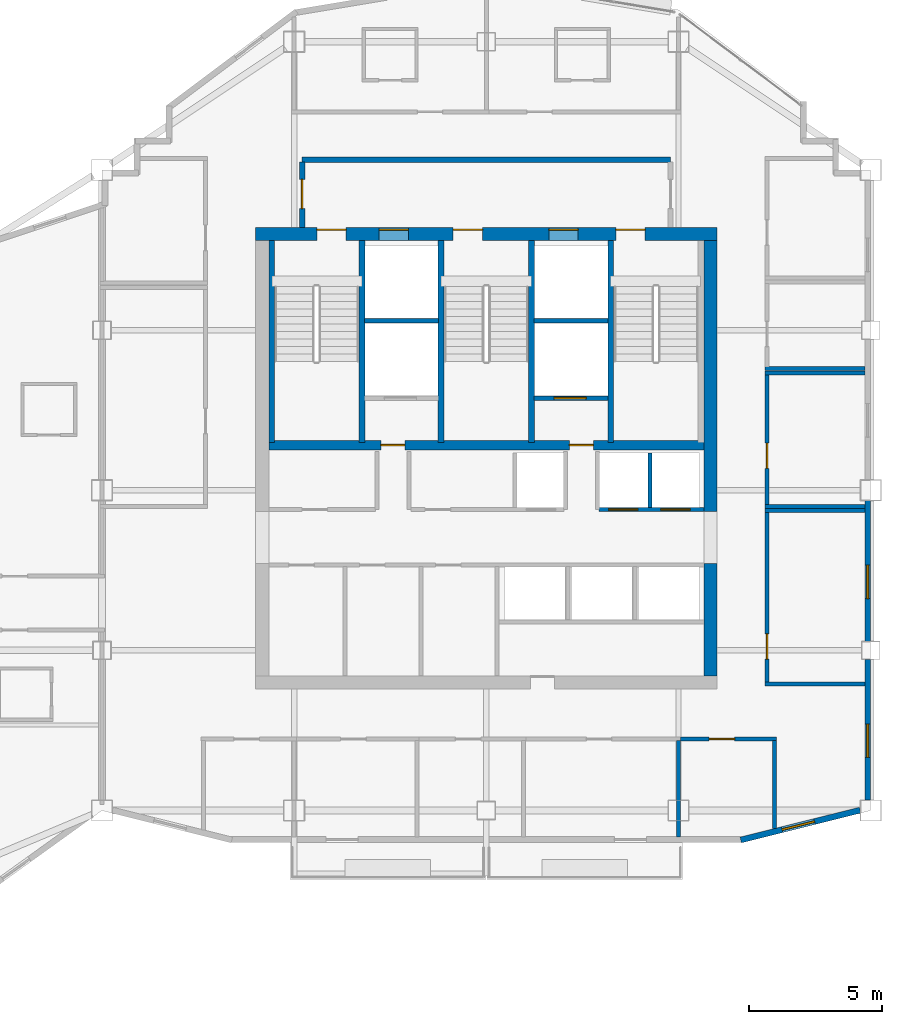
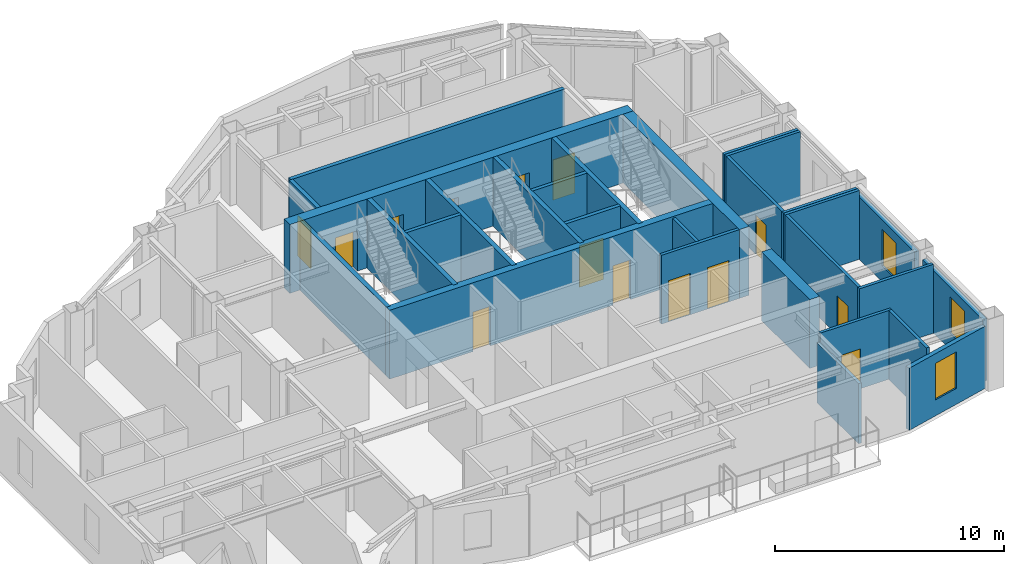
# One storey, part 7 of 11: 29 walls, 14 doors, 3 windows, 17 openings.
"""IFC4 building model written with IfcOpenShell, lengths in metres."""

from ifc_helpers import new_model, si_unit, direction, frame, frame_2d, origin, place, context, subcontext, project, spatial, rectangle, extrude, material, layer, layer_set, type_object, element, fill, save


model = new_model("IFC4")

# Units and contexts
model_context = context("Model", 3, precision=1e-05, world=origin(), true_north=direction((0.0, 1.0)))
body_context = subcontext(model_context, "Body", "Model", "MODEL_VIEW")
ifc_project = project(units=[si_unit("LENGTHUNIT", "METRE"), si_unit("AREAUNIT", "SQUARE_METRE"), si_unit("VOLUMEUNIT", "CUBIC_METRE"), si_unit("PLANEANGLEUNIT", "RADIAN"), si_unit("MASSUNIT", "GRAM", prefix="KILO")], contexts=[model_context])

# Site, building, storey
site_placement = place(None, origin())
site = spatial("IfcSite", under=ifc_project, at=site_placement, CompositionType="ELEMENT")
building_placement = place(site_placement, origin())
building = spatial("IfcBuilding", under=site, at=building_placement, Name="Haolan Belvedere Tower", CompositionType="ELEMENT")
storey_placement = place(building_placement, frame((0.0, 0.0, 250.60009765625)))
storey = spatial("IfcBuildingStorey", under=building, at=storey_placement, Name="L63", CompositionType="ELEMENT", Elevation=250.60009765625)

# Wall, openings, doors
ifc_material_1 = material(Name="Concrete C50/60", Category="concrete")
ifc_layer_1 = layer(ifc_material_1, 0.5, Name="Concrete C50/60")
ifc_layer_set_1 = layer_set([ifc_layer_1], Name="Concrete C50/60")
wall_type_1 = type_object("IfcWallType", Name="WL-CORE-500", PredefinedType="SHEAR", material=ifc_layer_set_1)
wall_1_placement = place(storey_placement, frame((29.75, 43.199951171875, 0.0), z_axis=(0.0, 0.0, 1.0), x_axis=(1.0, 0.0, 0.0)))
wall_1 = element("IfcWall", 1, at=wall_1_placement, inside=storey, type_object=wall_type_1, Name="L63 central core north shear wall", PredefinedType="SHEAR", context=body_context, shape_type="SweptSolid", body=[
    extrude(rectangle(XDim=17.300048828125, YDim=0.5, at=frame_2d((8.64990234375, 0.0))), origin(), (0.0, 0.0, 1.0), 3.669921875),
])
opening_1_placement = place(wall_1_placement, frame((2.300048828125, 0.0, 0.0)))
opening_1 = element("IfcOpeningElement", 2, at=opening_1_placement, cuts=wall_1, Name="Opening FD-03", PredefinedType="OPENING", context=body_context, shape_type="SweptSolid", body=[
    extrude(rectangle(XDim=1.10009765625, YDim=2.14990234375, at=frame_2d((0.550048828125, 1.074951171875))), frame((0.0, 0.260009765625, 0.0), z_axis=(0.0, -1.0, 0.0), x_axis=(1.0, 0.0, 0.0)), (0.0, 0.0, 1.0), 0.52001953125),
])
opening_2_placement = place(wall_1_placement, frame((7.409912109375, 0.0, 0.0)))
opening_2 = element("IfcOpeningElement", 3, at=opening_2_placement, cuts=wall_1, Name="Opening FD-03", PredefinedType="OPENING", context=body_context, shape_type="SweptSolid", body=[
    extrude(rectangle(XDim=1.10009765625, YDim=2.14990234375, at=frame_2d((0.550048828125, 1.074951171875))), frame((0.0, 0.260009765625, 0.0), z_axis=(0.0, -1.0, 0.0), x_axis=(1.0, 0.0, 0.0)), (0.0, 0.0, 1.0), 0.52001953125),
])
opening_3_placement = place(wall_1_placement, frame((13.5, 0.0, 0.0)))
opening_3 = element("IfcOpeningElement", 4, at=opening_3_placement, cuts=wall_1, Name="Opening FD-03", PredefinedType="OPENING", context=body_context, shape_type="SweptSolid", body=[
    extrude(rectangle(XDim=1.10009765625, YDim=2.14990234375, at=frame_2d((0.550048828125, 1.074951171875))), frame((0.0, 0.260009765625, 0.0), z_axis=(0.0, -1.0, 0.0), x_axis=(1.0, 0.0, 0.0)), (0.0, 0.0, 1.0), 0.52001953125),
])
opening_4_placement = place(wall_1_placement, frame((4.6298828125, 0.0, 0.0)))
opening_4 = element("IfcOpeningElement", 5, at=opening_4_placement, cuts=wall_1, Name="Opening LD-01", PredefinedType="OPENING", context=body_context, shape_type="SweptSolid", body=[
    extrude(rectangle(XDim=1.10009765625, YDim=2.199951171875, at=frame_2d((0.550048828125, 1.10009765625))), frame((0.0, 0.260009765625, 0.0), z_axis=(0.0, -1.0, 0.0), x_axis=(1.0, 0.0, 0.0)), (0.0, 0.0, 1.0), 0.52001953125),
])
opening_5_placement = place(wall_1_placement, frame((10.989990234375, 0.0, 0.0)))
opening_5 = element("IfcOpeningElement", 6, at=opening_5_placement, cuts=wall_1, Name="Opening LD-01", PredefinedType="OPENING", context=body_context, shape_type="SweptSolid", body=[
    extrude(rectangle(XDim=1.10009765625, YDim=2.199951171875, at=frame_2d((0.550048828125, 1.10009765625))), frame((0.0, 0.260009765625, 0.0), z_axis=(0.0, -1.0, 0.0), x_axis=(1.0, 0.0, 0.0)), (0.0, 0.0, 1.0), 0.52001953125),
])
ifc_material_2 = material(Name="Galvanised fire-rated steel", Category="steel")
door_type_1 = type_object("IfcDoorType", Name="DR-FD90-1100", OperationType="NOTDEFINED", PredefinedType="DOOR", material=ifc_material_2)
door_1_placement = place(opening_1_placement, origin())
door_1 = element("IfcDoor", 7, at=door_1_placement, inside=storey, type_object=door_type_1, Name="L63 door CD-L63-ST1", OperationType="SINGLE_SWING_LEFT", OverallHeight=2.14990234375, OverallWidth=1.10009765625, PredefinedType="DOOR", context=body_context, shape_type="SweptSolid", body=[
    extrude(rectangle(XDim=1.10009765625, YDim=2.14990234375, at=frame_2d((0.550048828125, 1.074951171875))), frame((0.0, 0.18505859375, 0.0), z_axis=(0.0, -1.0, 0.0), x_axis=(1.0, 0.0, 0.0)), (0.0, 0.0, 1.0), 0.050048828125),
])
fill(opening_1, door_1)
door_2_placement = place(opening_2_placement, origin())
door_2 = element("IfcDoor", 8, at=door_2_placement, inside=storey, type_object=door_type_1, Name="L63 door CD-L63-ST3", OperationType="SINGLE_SWING_LEFT", OverallHeight=2.14990234375, OverallWidth=1.10009765625, PredefinedType="DOOR", context=body_context, shape_type="SweptSolid", body=[
    extrude(rectangle(XDim=1.10009765625, YDim=2.14990234375, at=frame_2d((0.550048828125, 1.074951171875))), frame((0.0, 0.18505859375, 0.0), z_axis=(0.0, -1.0, 0.0), x_axis=(1.0, 0.0, 0.0)), (0.0, 0.0, 1.0), 0.050048828125),
])
fill(opening_2, door_2)
door_3_placement = place(opening_3_placement, origin())
door_3 = element("IfcDoor", 9, at=door_3_placement, inside=storey, type_object=door_type_1, Name="L63 door CD-L63-ST2", OperationType="SINGLE_SWING_RIGHT", OverallHeight=2.14990234375, OverallWidth=1.10009765625, PredefinedType="DOOR", context=body_context, shape_type="SweptSolid", body=[
    extrude(rectangle(XDim=1.10009765625, YDim=2.14990234375, at=frame_2d((0.550048828125, 1.074951171875))), frame((0.0, 0.18505859375, 0.0), z_axis=(0.0, -1.0, 0.0), x_axis=(1.0, 0.0, 0.0)), (0.0, 0.0, 1.0), 0.050048828125),
])
fill(opening_3, door_3)
ifc_material_3 = material(Name="Brushed champagne stainless steel 316L", Category="steel")
door_type_2 = type_object("IfcDoorType", Name="DR-LIFT-1100", OperationType="SLIDING_TO_LEFT", PredefinedType="DOOR", material=ifc_material_3)
door_4_placement = place(opening_4_placement, origin())
door_4 = element("IfcDoor", 10, at=door_4_placement, inside=storey, type_object=door_type_2, Name="L63 door LD-L63-FF1", OperationType="SLIDING_TO_LEFT", OverallHeight=2.199951171875, OverallWidth=1.10009765625, PredefinedType="DOOR", context=body_context, shape_type="SweptSolid", body=[
    extrude(rectangle(XDim=1.10009765625, YDim=2.199951171875, at=frame_2d((0.550048828125, 1.10009765625))), frame((0.0, 0.18505859375, 0.0), z_axis=(0.0, -1.0, 0.0), x_axis=(1.0, 0.0, 0.0)), (0.0, 0.0, 1.0), 0.050048828125),
])
fill(opening_4, door_4)
door_5_placement = place(opening_5_placement, origin())
door_5 = element("IfcDoor", 11, at=door_5_placement, inside=storey, type_object=door_type_2, Name="L63 door LD-L63-FF2", OperationType="SLIDING_TO_LEFT", OverallHeight=2.199951171875, OverallWidth=1.10009765625, PredefinedType="DOOR", context=body_context, shape_type="SweptSolid", body=[
    extrude(rectangle(XDim=1.10009765625, YDim=2.199951171875, at=frame_2d((0.550048828125, 1.10009765625))), frame((0.0, 0.18505859375, 0.0), z_axis=(0.0, -1.0, 0.0), x_axis=(1.0, 0.0, 0.0)), (0.0, 0.0, 1.0), 0.050048828125),
])
fill(opening_5, door_5)

# Walls
wall_2_placement = place(storey_placement, frame((46.800048828125, 26.64990234375, 0.0), z_axis=(0.0, 0.0, 1.0), x_axis=(0.0, 1.0, 0.0)))
element("IfcWall", 12, at=wall_2_placement, inside=storey, type_object=wall_type_1, Name="L63 central core shear wall ES", PredefinedType="SHEAR", context=body_context, shape_type="SweptSolid", body=[
    extrude(rectangle(XDim=4.2001953125, YDim=0.5, at=frame_2d((2.10009765625, 0.0))), origin(), (0.0, 0.0, 1.0), 3.669921875),
])
wall_3_placement = place(storey_placement, frame((46.800048828125, 32.800048828125, 0.0), z_axis=(0.0, 0.0, 1.0), x_axis=(0.0, 1.0, 0.0)))
element("IfcWall", 13, at=wall_3_placement, inside=storey, type_object=wall_type_1, Name="L63 central core shear wall EN", PredefinedType="SHEAR", context=body_context, shape_type="SweptSolid", body=[
    extrude(rectangle(XDim=10.14990234375, YDim=0.5, at=frame_2d((5.074951171875, 0.0))), origin(), (0.0, 0.0, 1.0), 3.669921875),
])

# Wall, opening, window
ifc_material_4 = material(Name="Precast concrete C40/50", Category="concrete")
ifc_layer_2 = layer(ifc_material_4, 0.219970703125, Name="Precast concrete C40/50")
ifc_layer_set_2 = layer_set([ifc_layer_2], Name="Precast concrete C40/50")
wall_type_2 = type_object("IfcWallType", Name="WL-EXT-220", PredefinedType="SOLIDWALL", material=ifc_layer_set_2)
wall_4_placement = place(storey_placement, frame((47.93310546875, 20.49658203125, 0.0), z_axis=(0.0, 0.0, 1.0), x_axis=(0.970133159038, 0.242572986408, 0.0)))
wall_4 = element("IfcWall", 14, at=wall_4_placement, inside=storey, type_object=wall_type_2, Name="L63 pale-metal exterior spandrel wall 2.1", PredefinedType="SOLIDWALL", context=body_context, shape_type="SweptSolid", body=[
    extrude(rectangle(XDim=4.612548828125, YDim=0.219970703125, at=frame_2d((2.30615234375, 0.0))), origin(), (0.0, 0.0, 1.0), 3.31494140625),
])
opening_6_placement = place(wall_4_placement, frame((1.60009765625, 0.0, 0.85009765625)))
opening_6 = element("IfcOpeningElement", 15, at=opening_6_placement, cuts=wall_4, Name="Opening W-04", PredefinedType="OPENING", context=body_context, shape_type="SweptSolid", body=[
    extrude(rectangle(XDim=1.25, YDim=1.949951171875, at=frame_2d((0.625, 0.97509765625))), frame((0.0, 0.119873046875, 0.0), z_axis=(0.0, -1.0, 0.0), x_axis=(1.0, 0.0, 0.0)), (0.0, 0.0, 1.0), 0.239990234375),
])
ifc_material_5 = material(Name="Anodised aluminium 6063-T6 and Low-E glass", Category="aluminium")
window_type = type_object("IfcWindowType", Name="WN-DECO-Z4", PartitioningType="SINGLE_PANEL", PredefinedType="WINDOW", material=ifc_material_5)
window_1_placement = place(opening_6_placement, origin())
window_1 = element("IfcWindow", 16, at=window_1_placement, inside=storey, type_object=window_type, Name="L63 Art Deco chevron window 1", OverallHeight=1.949951171875, OverallWidth=1.25, PartitioningType="SINGLE_PANEL", PredefinedType="WINDOW", context=body_context, shape_type="SweptSolid", body=[
    extrude(rectangle(XDim=1.25, YDim=1.949951171875, at=frame_2d((0.625, 0.97509765625))), frame((0.0, 0.030029296875, 0.0), z_axis=(0.0, -1.0, 0.0), x_axis=(1.0, 0.0, 0.0)), (0.0, 0.0, 1.0), 0.06005859375),
])
fill(opening_6, window_1)

wall_5_placement = place(storey_placement, frame((52.68994140625, 21.991943359375, 0.0), z_axis=(0.0, 0.0, 1.0), x_axis=(0.0, 1.0, 0.0)))
wall_5 = element("IfcWall", 17, at=wall_5_placement, inside=storey, type_object=wall_type_2, Name="L63 pale-metal exterior spandrel wall 3.1", PredefinedType="SOLIDWALL", context=body_context, shape_type="SweptSolid", body=[
    extrude(rectangle(XDim=5.26611328125, YDim=0.219970703125, at=frame_2d((2.633056640625, 0.0))), origin(), (0.0, 0.0, 1.0), 3.31494140625),
])
opening_7_placement = place(wall_5_placement, frame((1.60009765625, 0.0, 0.85009765625)))
opening_7 = element("IfcOpeningElement", 18, at=opening_7_placement, cuts=wall_5, Name="Opening W-04", PredefinedType="OPENING", context=body_context, shape_type="SweptSolid", body=[
    extrude(rectangle(XDim=1.25, YDim=1.949951171875, at=frame_2d((0.625, 0.97509765625))), frame((0.0, 0.119873046875, 0.0), z_axis=(0.0, -1.0, 0.0), x_axis=(1.0, 0.0, 0.0)), (0.0, 0.0, 1.0), 0.239990234375),
])
window_2_placement = place(opening_7_placement, origin())
window_2 = element("IfcWindow", 19, at=window_2_placement, inside=storey, type_object=window_type, Name="L63 Art Deco chevron window 1", OverallHeight=1.949951171875, OverallWidth=1.25, PartitioningType="SINGLE_PANEL", PredefinedType="WINDOW", context=body_context, shape_type="SweptSolid", body=[
    extrude(rectangle(XDim=1.25, YDim=1.949951171875, at=frame_2d((0.625, 0.97509765625))), frame((0.0, 0.030029296875, 0.0), z_axis=(0.0, -1.0, 0.0), x_axis=(1.0, 0.0, 0.0)), (0.0, 0.0, 1.0), 0.06005859375),
])
fill(opening_7, window_2)

wall_6_placement = place(storey_placement, frame((52.68994140625, 27.94189453125, 0.0), z_axis=(0.0, 0.0, 1.0), x_axis=(0.0, 1.0, 0.0)))
wall_6 = element("IfcWall", 20, at=wall_6_placement, inside=storey, type_object=wall_type_2, Name="L63 pale-metal exterior spandrel wall 3.2", PredefinedType="SOLIDWALL", context=body_context, shape_type="SweptSolid", body=[
    extrude(rectangle(XDim=5.26611328125, YDim=0.219970703125, at=frame_2d((2.633056640625, 0.0))), origin(), (0.0, 0.0, 1.0), 3.31494140625),
])
opening_8_placement = place(wall_6_placement, frame((1.60009765625, 0.0, 0.85009765625)))
opening_8 = element("IfcOpeningElement", 21, at=opening_8_placement, cuts=wall_6, Name="Opening W-04", PredefinedType="OPENING", context=body_context, shape_type="SweptSolid", body=[
    extrude(rectangle(XDim=1.25, YDim=1.949951171875, at=frame_2d((0.625, 0.97509765625))), frame((0.0, 0.119873046875, 0.0), z_axis=(0.0, -1.0, 0.0), x_axis=(1.0, 0.0, 0.0)), (0.0, 0.0, 1.0), 0.239990234375),
])
window_3_placement = place(opening_8_placement, origin())
window_3 = element("IfcWindow", 22, at=window_3_placement, inside=storey, type_object=window_type, Name="L63 Art Deco chevron window 1", OverallHeight=1.949951171875, OverallWidth=1.25, PartitioningType="SINGLE_PANEL", PredefinedType="WINDOW", context=body_context, shape_type="SweptSolid", body=[
    extrude(rectangle(XDim=1.25, YDim=1.949951171875, at=frame_2d((0.625, 0.97509765625))), frame((0.0, 0.030029296875, 0.0), z_axis=(0.0, -1.0, 0.0), x_axis=(1.0, 0.0, 0.0)), (0.0, 0.0, 1.0), 0.06005859375),
])
fill(opening_8, window_3)

# Wall
ifc_material_6 = material(Name="Concrete C40/50", Category="concrete")
ifc_layer_3 = layer(ifc_material_6, 0.199951171875, Name="Concrete C40/50")
ifc_layer_set_3 = layer_set([ifc_layer_3], Name="Concrete C40/50")
wall_type_3 = type_object("IfcWallType", Name="WL-FIRE-200", PredefinedType="SOLIDWALL", material=ifc_layer_set_3)
wall_7_placement = place(storey_placement, frame((31.5, 45.97998046875, 0.0), z_axis=(0.0, 0.0, 1.0), x_axis=(1.0, 0.0, 0.0)))
element("IfcWall", 23, at=wall_7_placement, inside=storey, type_object=wall_type_3, Name="L63 interior partition IW-L63-FFL-N", PredefinedType="SOLIDWALL", context=body_context, shape_type="SweptSolid", body=[
    extrude(rectangle(XDim=13.800048828125, YDim=0.199951171875, at=frame_2d((6.89990234375, 0.0))), origin(), (0.0, 0.0, 1.0), 3.669921875),
])

# Wall, opening, door
wall_8_placement = place(storey_placement, frame((31.5, 43.449951171875, 0.0), z_axis=(0.0, 0.0, 1.0), x_axis=(0.0, 1.0, 0.0)))
wall_8 = element("IfcWall", 24, at=wall_8_placement, inside=storey, type_object=wall_type_3, Name="L63 interior partition IW-L63-FFL-W", PredefinedType="SOLIDWALL", context=body_context, shape_type="SweptSolid", body=[
    extrude(rectangle(XDim=2.445068359375, YDim=0.199951171875, at=frame_2d((1.22265625, 0.0))), origin(), (0.0, 0.0, 1.0), 3.669921875),
])
opening_9_placement = place(wall_8_placement, frame((1.800048828125, 0.0, 0.0), z_axis=(0.0, 0.0, 1.0), x_axis=(-1.0, 0.0, 0.0)))
opening_9 = element("IfcOpeningElement", 25, at=opening_9_placement, cuts=wall_8, Name="Opening FD-03", PredefinedType="OPENING", context=body_context, shape_type="SweptSolid", body=[
    extrude(rectangle(XDim=1.10009765625, YDim=2.14990234375, at=frame_2d((0.550048828125, 1.074951171875))), frame((0.0, 0.10986328125, 0.0), z_axis=(0.0, -1.0, 0.0), x_axis=(1.0, 0.0, 0.0)), (0.0, 0.0, 1.0), 0.219970703125),
])
door_6_placement = place(opening_9_placement, origin())
door_6 = element("IfcDoor", 26, at=door_6_placement, inside=storey, type_object=door_type_1, Name="L63 door ID-L63-FFL-DW", OperationType="SINGLE_SWING_LEFT", OverallHeight=2.14990234375, OverallWidth=1.10009765625, PredefinedType="DOOR", context=body_context, shape_type="SweptSolid", body=[
    extrude(rectangle(XDim=1.10009765625, YDim=2.14990234375, at=frame_2d((0.550048828125, 1.074951171875))), frame((0.0, 0.02490234375, 0.0), z_axis=(0.0, -1.0, 0.0), x_axis=(1.0, 0.0, 0.0)), (0.0, 0.0, 1.0), 0.050048828125),
])
fill(opening_9, door_6)

# Walls
ifc_material_7 = material(Name="Double gypsum acoustic stud partition", Category="masonry")
ifc_layer_4 = layer(ifc_material_7, 0.14990234375, Name="Double gypsum acoustic stud partition")
ifc_layer_set_4 = layer_set([ifc_layer_4], Name="Double gypsum acoustic stud partition")
wall_type_4 = type_object("IfcWallType", Name="WL-PART-150", PredefinedType="PARTITIONING", material=ifc_layer_set_4)
for number, where, z_axis, x_axis, name in (
    (27, (48.840087890625, 38.0, 0.0), (0.0, 0.0, 1.0), (1.0, 0.0, 0.0), "L63 interior partition IW-L63-BPN-N"),
    (28, (48.840087890625, 33.0, 0.0), (0.0, 0.0, 1.0), (1.0, 0.0, 0.0), "L63 interior partition IW-L63-BPN-S"),
):
    element("IfcWall", number, at=place(storey_placement, frame(where, z_axis=z_axis, x_axis=x_axis)), inside=storey, type_object=wall_type_4, Name=name, PredefinedType="PARTITIONING", context=body_context, shape_type="SweptSolid", body=[
        extrude(rectangle(XDim=3.747802734375, YDim=0.14990234375, at=frame_2d((1.8740234375, 0.0))), origin(), (0.0, 0.0, 1.0), 3.669921875),
    ])

# Wall, opening, door
wall_9_placement = place(storey_placement, frame((48.919921875, 33.06005859375, 0.0), z_axis=(0.0, 0.0, 1.0), x_axis=(0.0, 1.0, 0.0)))
wall_9 = element("IfcWall", 29, at=wall_9_placement, inside=storey, type_object=wall_type_4, Name="L63 interior partition IW-L63-BPN-W", PredefinedType="PARTITIONING", context=body_context, shape_type="SweptSolid", body=[
    extrude(rectangle(XDim=4.8798828125, YDim=0.14990234375, at=frame_2d((2.43994140625, 0.0))), origin(), (0.0, 0.0, 1.0), 3.669921875),
])
opening_10_placement = place(wall_9_placement, frame((1.360107421875, 0.0, 0.0)))
opening_10 = element("IfcOpeningElement", 30, at=opening_10_placement, cuts=wall_9, Name="Opening ID-03", PredefinedType="OPENING", context=body_context, shape_type="SweptSolid", body=[
    extrude(rectangle(XDim=0.949951171875, YDim=2.1201171875, at=frame_2d((0.47509765625, 1.06005859375))), frame((0.0, 0.0849609375, 0.0), z_axis=(0.0, -1.0, 0.0), x_axis=(1.0, 0.0, 0.0)), (0.0, 0.0, 1.0), 0.169921875),
])
ifc_material_8 = material(Name="Painted solid-core timber", Category="wood")
door_type_3 = type_object("IfcDoorType", Name="DR-INT-950", OperationType="NOTDEFINED", PredefinedType="DOOR", material=ifc_material_8)
door_7_placement = place(opening_10_placement, origin())
door_7 = element("IfcDoor", 31, at=door_7_placement, inside=storey, type_object=door_type_3, Name="L63 door ID-L63-BPN", OperationType="SINGLE_SWING_RIGHT", OverallHeight=2.1201171875, OverallWidth=0.949951171875, PredefinedType="DOOR", context=body_context, shape_type="SweptSolid", body=[
    extrude(rectangle(XDim=0.949951171875, YDim=2.1201171875, at=frame_2d((0.47509765625, 1.06005859375))), frame((0.0, 0.02490234375, 0.0), z_axis=(0.0, -1.0, 0.0), x_axis=(1.0, 0.0, 0.0)), (0.0, 0.0, 1.0), 0.050048828125),
])
fill(opening_10, door_7)

# Walls
for number, where, z_axis, x_axis, name in (
    (32, (48.840087890625, 38.159912109375, 0.0), (0.0, 0.0, 1.0), (1.0, 0.0, 0.0), "L63 interior partition IW-L63-AWC-S"),
    (33, (48.840087890625, 32.840087890625, 0.0), (0.0, 0.0, 1.0), (1.0, 0.0, 0.0), "L63 interior partition IW-L63-PKTE-N"),
    (34, (48.840087890625, 26.35009765625, 0.0), (0.0, 0.0, 1.0), (1.0, 0.0, 0.0), "L63 interior partition IW-L63-PKTE-S"),
):
    element("IfcWall", number, at=place(storey_placement, frame(where, z_axis=z_axis, x_axis=x_axis)), inside=storey, type_object=wall_type_4, Name=name, PredefinedType="PARTITIONING", context=body_context, shape_type="SweptSolid", body=[
        extrude(rectangle(XDim=3.747802734375, YDim=0.14990234375, at=frame_2d((1.8740234375, 0.0))), origin(), (0.0, 0.0, 1.0), 3.669921875),
    ])

# Wall, opening, door
wall_10_placement = place(storey_placement, frame((48.919921875, 26.409912109375, 0.0), z_axis=(0.0, 0.0, 1.0), x_axis=(0.0, 1.0, 0.0)))
wall_10 = element("IfcWall", 35, at=wall_10_placement, inside=storey, type_object=wall_type_4, Name="L63 interior partition IW-L63-PKTE-W", PredefinedType="PARTITIONING", context=body_context, shape_type="SweptSolid", body=[
    extrude(rectangle(XDim=6.3701171875, YDim=0.14990234375, at=frame_2d((3.18505859375, 0.0))), origin(), (0.0, 0.0, 1.0), 3.669921875),
])
opening_11_placement = place(wall_10_placement, frame((0.860107421875, 0.0, 0.0)))
opening_11 = element("IfcOpeningElement", 36, at=opening_11_placement, cuts=wall_10, Name="Opening ID-03", PredefinedType="OPENING", context=body_context, shape_type="SweptSolid", body=[
    extrude(rectangle(XDim=0.949951171875, YDim=2.1201171875, at=frame_2d((0.47509765625, 1.06005859375))), frame((0.0, 0.0849609375, 0.0), z_axis=(0.0, -1.0, 0.0), x_axis=(1.0, 0.0, 0.0)), (0.0, 0.0, 1.0), 0.169921875),
])
door_8_placement = place(opening_11_placement, origin())
door_8 = element("IfcDoor", 37, at=door_8_placement, inside=storey, type_object=door_type_3, Name="L63 door ID-L63-PKTE", OperationType="SINGLE_SWING_RIGHT", OverallHeight=2.1201171875, OverallWidth=0.949951171875, PredefinedType="DOOR", context=body_context, shape_type="SweptSolid", body=[
    extrude(rectangle(XDim=0.949951171875, YDim=2.1201171875, at=frame_2d((0.47509765625, 1.06005859375))), frame((0.0, 0.02490234375, 0.0), z_axis=(0.0, -1.0, 0.0), x_axis=(1.0, 0.0, 0.0)), (0.0, 0.0, 1.0), 0.050048828125),
])
fill(opening_11, door_8)

# Wall
wall_11_placement = place(storey_placement, frame((45.60009765625, 20.612060546875, 0.0), z_axis=(0.0, 0.0, 1.0), x_axis=(0.0, 1.0, 0.0)))
element("IfcWall", 38, at=wall_11_placement, inside=storey, type_object=wall_type_4, Name="L63 interior partition IW-L63-KS5-E", PredefinedType="PARTITIONING", context=body_context, shape_type="SweptSolid", body=[
    extrude(rectangle(XDim=3.60791015625, YDim=0.14990234375, at=frame_2d((1.803955078125, 0.0))), origin(), (0.0, 0.0, 1.0), 3.204833984375),
])

# Wall, opening, door
wall_12_placement = place(storey_placement, frame((45.681884765625, 24.280029296875, 0.0), z_axis=(0.0, 0.0, 1.0), x_axis=(1.0, 0.0, 0.0)))
wall_12 = element("IfcWall", 39, at=wall_12_placement, inside=storey, type_object=wall_type_4, Name="L63 interior partition IW-L63-KS6-N", PredefinedType="PARTITIONING", context=body_context, shape_type="SweptSolid", body=[
    extrude(rectangle(XDim=3.59814453125, YDim=0.14990234375, at=frame_2d((1.799072265625, 0.0))), origin(), (0.0, 0.0, 1.0), 3.669921875),
])
opening_12_placement = place(wall_12_placement, frame((2.01806640625, 0.0, 0.0), z_axis=(0.0, 0.0, 1.0), x_axis=(-1.0, 0.0, 0.0)))
opening_12 = element("IfcOpeningElement", 40, at=opening_12_placement, cuts=wall_12, Name="Opening ID-03", PredefinedType="OPENING", context=body_context, shape_type="SweptSolid", body=[
    extrude(rectangle(XDim=0.949951171875, YDim=2.1201171875, at=frame_2d((0.47509765625, 1.06005859375))), frame((0.0, 0.0849609375, 0.0), z_axis=(0.0, -1.0, 0.0), x_axis=(1.0, 0.0, 0.0)), (0.0, 0.0, 1.0), 0.169921875),
])
door_9_placement = place(opening_12_placement, origin())
door_9 = element("IfcDoor", 41, at=door_9_placement, inside=storey, type_object=door_type_3, Name="L63 door ID-L63-KS6", OperationType="SINGLE_SWING_RIGHT", OverallHeight=2.1201171875, OverallWidth=0.949951171875, PredefinedType="DOOR", context=body_context, shape_type="SweptSolid", body=[
    extrude(rectangle(XDim=0.949951171875, YDim=2.1201171875, at=frame_2d((0.47509765625, 1.06005859375))), frame((0.0, 0.02490234375, 0.0), z_axis=(0.0, -1.0, 0.0), x_axis=(1.0, 0.0, 0.0)), (0.0, 0.0, 1.0), 0.050048828125),
])
fill(opening_12, door_9)

# Wall
wall_13_placement = place(storey_placement, frame((49.199951171875, 20.91845703125, 0.0), z_axis=(0.0, 0.0, 1.0), x_axis=(0.0, 1.0, 0.0)))
element("IfcWall", 42, at=wall_13_placement, inside=storey, type_object=wall_type_4, Name="L63 interior partition IW-L63-KS6-E", PredefinedType="PARTITIONING", context=body_context, shape_type="SweptSolid", body=[
    extrude(rectangle(XDim=3.301513671875, YDim=0.14990234375, at=frame_2d((1.65087890625, 0.0))), origin(), (0.0, 0.0, 1.0), 3.669921875),
])

# Wall, openings, doors
ifc_material_9 = material(Name="Gypsum fire shaftwall assembly", Category="masonry")
ifc_layer_5 = layer(ifc_material_9, 0.1650390625, Name="Gypsum fire shaftwall assembly")
ifc_layer_set_5 = layer_set([ifc_layer_5], Name="Gypsum fire shaftwall assembly")
wall_type_5 = type_object("IfcWallType", Name="WL-SHAFT-160", PredefinedType="SOLIDWALL", material=ifc_layer_set_5)
wall_14_placement = place(storey_placement, frame((42.6298828125, 32.8798828125, 0.0), z_axis=(0.0, 0.0, 1.0), x_axis=(1.0, 0.0, 0.0)))
wall_14 = element("IfcWall", 43, at=wall_14_placement, inside=storey, type_object=wall_type_5, Name="L63 interior partition IW-L63-ROW-PN3", PredefinedType="SOLIDWALL", context=body_context, shape_type="SweptSolid", body=[
    extrude(rectangle(XDim=3.920166015625, YDim=0.159912109375, at=frame_2d((1.9599609375, 0.0))), origin(), (0.0, 0.0, 1.0), 3.669921875),
])
opening_13_placement = place(wall_14_placement, frame((1.4501953125, 0.0, 0.0), z_axis=(0.0, 0.0, 1.0), x_axis=(-1.0, 0.0, 0.0)))
opening_13 = element("IfcOpeningElement", 44, at=opening_13_placement, cuts=wall_14, Name="Opening LD-01", PredefinedType="OPENING", context=body_context, shape_type="SweptSolid", body=[
    extrude(rectangle(XDim=1.10009765625, YDim=2.199951171875, at=frame_2d((0.550048828125, 1.10009765625))), frame((0.0, 0.08984375, 0.0), z_axis=(0.0, -1.0, 0.0), x_axis=(1.0, 0.0, 0.0)), (0.0, 0.0, 1.0), 0.179931640625),
])
opening_14_placement = place(wall_14_placement, frame((3.41015625, 0.0, 0.0), z_axis=(0.0, 0.0, 1.0), x_axis=(-1.0, 0.0, 0.0)))
opening_14 = element("IfcOpeningElement", 45, at=opening_14_placement, cuts=wall_14, Name="Opening LD-01", PredefinedType="OPENING", context=body_context, shape_type="SweptSolid", body=[
    extrude(rectangle(XDim=1.10009765625, YDim=2.199951171875, at=frame_2d((0.550048828125, 1.10009765625))), frame((0.0, 0.08984375, 0.0), z_axis=(0.0, -1.0, 0.0), x_axis=(1.0, 0.0, 0.0)), (0.0, 0.0, 1.0), 0.179931640625),
])
door_10_placement = place(opening_13_placement, origin())
door_10 = element("IfcDoor", 46, at=door_10_placement, inside=storey, type_object=door_type_2, Name="L63 door ID-L63-LD-PH2", OperationType="SLIDING_TO_RIGHT", OverallHeight=2.199951171875, OverallWidth=1.10009765625, PredefinedType="DOOR", context=body_context, shape_type="SweptSolid", body=[
    extrude(rectangle(XDim=1.10009765625, YDim=2.199951171875, at=frame_2d((0.550048828125, 1.10009765625))), frame((0.0, 0.02490234375, 0.0), z_axis=(0.0, -1.0, 0.0), x_axis=(1.0, 0.0, 0.0)), (0.0, 0.0, 1.0), 0.050048828125),
])
fill(opening_13, door_10)
door_11_placement = place(opening_14_placement, origin())
door_11 = element("IfcDoor", 47, at=door_11_placement, inside=storey, type_object=door_type_2, Name="L63 door ID-L63-LD-PH3", OperationType="SLIDING_TO_RIGHT", OverallHeight=2.199951171875, OverallWidth=1.10009765625, PredefinedType="DOOR", context=body_context, shape_type="SweptSolid", body=[
    extrude(rectangle(XDim=1.10009765625, YDim=2.199951171875, at=frame_2d((0.550048828125, 1.10009765625))), frame((0.0, 0.02490234375, 0.0), z_axis=(0.0, -1.0, 0.0), x_axis=(1.0, 0.0, 0.0)), (0.0, 0.0, 1.0), 0.050048828125),
])
fill(opening_14, door_11)

# Walls
wall_15_placement = place(storey_placement, frame((44.530029296875, 32.949951171875, 0.0), z_axis=(0.0, 0.0, 1.0), x_axis=(0.0, 1.0, 0.0)))
element("IfcWall", 48, at=wall_15_placement, inside=storey, type_object=wall_type_5, Name="L63 interior partition IW-L63-DIV-PH2", PredefinedType="SOLIDWALL", context=body_context, shape_type="SweptSolid", body=[
    extrude(rectangle(XDim=2.050048828125, YDim=0.14990234375, at=frame_2d((1.02490234375, 0.0))), origin(), (0.0, 0.0, 1.0), 3.669921875),
])
ifc_layer_6 = layer(ifc_material_4, 0.179931640625, Name="Precast concrete C40/50")
ifc_layer_set_6 = layer_set([ifc_layer_6], Name="Precast concrete C40/50")
wall_type_6 = type_object("IfcWallType", Name="WL-SHAFT-180", PredefinedType="SOLIDWALL", material=ifc_layer_set_6)
for number, where, z_axis, x_axis, name in (
    (49, (33.8349609375, 39.949951171875, 0.0), (0.0, 0.0, 1.0), (1.0, 0.0, 0.0), "L63 interior partition IW-L63-FF1-S"),
    (50, (40.195068359375, 39.949951171875, 0.0), (0.0, 0.0, 1.0), (1.0, 0.0, 0.0), "L63 interior partition IW-L63-FF2-S"),
):
    element("IfcWall", number, at=place(storey_placement, frame(where, z_axis=z_axis, x_axis=x_axis)), inside=storey, type_object=wall_type_6, Name=name, PredefinedType="SOLIDWALL", context=body_context, shape_type="SweptSolid", body=[
        extrude(rectangle(XDim=2.77001953125, YDim=0.179931640625, at=frame_2d((1.385009765625, 0.0))), origin(), (0.0, 0.0, 1.0), 3.669921875),
    ])

# Wall, opening, door
wall_16_placement = place(storey_placement, frame((40.195068359375, 37.050048828125, 0.0), z_axis=(0.0, 0.0, 1.0), x_axis=(1.0, 0.0, 0.0)))
wall_16 = element("IfcWall", 51, at=wall_16_placement, inside=storey, type_object=wall_type_6, Name="L63 interior partition IW-L63-SV2-S", PredefinedType="SOLIDWALL", context=body_context, shape_type="SweptSolid", body=[
    extrude(rectangle(XDim=2.77001953125, YDim=0.179931640625, at=frame_2d((1.385009765625, 0.0))), origin(), (0.0, 0.0, 1.0), 3.669921875),
])
opening_15_placement = place(wall_16_placement, frame((1.945068359375, 0.0, 0.0), z_axis=(0.0, 0.0, 1.0), x_axis=(-1.0, 0.0, 0.0)))
opening_15 = element("IfcOpeningElement", 52, at=opening_15_placement, cuts=wall_16, Name="Opening LD-02", PredefinedType="OPENING", context=body_context, shape_type="SweptSolid", body=[
    extrude(rectangle(XDim=1.199951171875, YDim=2.199951171875, at=frame_2d((0.60009765625, 1.10009765625))), frame((0.0, 0.099853515625, 0.0), z_axis=(0.0, -1.0, 0.0), x_axis=(1.0, 0.0, 0.0)), (0.0, 0.0, 1.0), 0.199951171875),
])
door_type_4 = type_object("IfcDoorType", Name="DR-LIFT-1200", OperationType="SLIDING_TO_RIGHT", PredefinedType="DOOR", material=ifc_material_3)
door_12_placement = place(opening_15_placement, origin())
door_12 = element("IfcDoor", 53, at=door_12_placement, inside=storey, type_object=door_type_4, Name="L63 door ID-L63-LD-SV2", OperationType="SLIDING_TO_RIGHT", OverallHeight=2.199951171875, OverallWidth=1.199951171875, PredefinedType="DOOR", context=body_context, shape_type="SweptSolid", body=[
    extrude(rectangle(XDim=1.199951171875, YDim=2.199951171875, at=frame_2d((0.60009765625, 1.10009765625))), frame((0.0, 0.02490234375, 0.0), z_axis=(0.0, -1.0, 0.0), x_axis=(1.0, 0.0, 0.0)), (0.0, 0.0, 1.0), 0.050048828125),
])
fill(opening_15, door_12)

# Walls
ifc_layer_7 = layer(ifc_material_1, 0.219970703125, Name="Concrete C50/60")
ifc_layer_set_7 = layer_set([ifc_layer_7], Name="Concrete C50/60")
wall_type_7 = type_object("IfcWallType", Name="WL-STAIR-220", PredefinedType="SHEAR", material=ifc_layer_set_7)
for number, where, z_axis, x_axis, name in (
    (54, (30.362060546875, 35.389892578125, 0.0), (0.0, 0.0, 1.0), (0.0, 1.0, 0.0), "L63 structural stair core wall ST1W"),
    (55, (33.739990234375, 35.389892578125, 0.0), (0.0, 0.0, 1.0), (0.0, 1.0, 0.0), "L63 structural stair core wall ST1E"),
    (56, (36.699951171875, 35.389892578125, 0.0), (0.0, 0.0, 1.0), (0.0, 1.0, 0.0), "L63 structural stair core wall ST3W"),
    (57, (40.10009765625, 35.389892578125, 0.0), (0.0, 0.0, 1.0), (0.0, 1.0, 0.0), "L63 structural stair core wall ST3E"),
    (58, (43.06005859375, 35.389892578125, 0.0), (0.0, 0.0, 1.0), (0.0, 1.0, 0.0), "L63 structural stair core wall ST2W"),
):
    element("IfcWall", number, at=place(storey_placement, frame(where, z_axis=z_axis, x_axis=x_axis)), inside=storey, type_object=wall_type_7, Name=name, PredefinedType="SHEAR", context=body_context, shape_type="SweptSolid", body=[
        extrude(rectangle(XDim=7.56005859375, YDim=0.219970703125, at=frame_2d((3.780029296875, 0.0))), origin(), (0.0, 0.0, 1.0), 3.669921875),
    ])

# Wall, openings, doors
ifc_material_10 = material(Name="Concrete C60/75", Category="concrete")
ifc_layer_8 = layer(ifc_material_10, 0.360107421875, Name="Concrete C60/75")
ifc_layer_set_8 = layer_set([ifc_layer_8], Name="Concrete C60/75")
wall_type_8 = type_object("IfcWallType", Name="WL-WEB-350", PredefinedType="SHEAR", material=ifc_layer_set_8)
wall_17_placement = place(storey_placement, frame((30.25, 35.2900390625, 0.0), z_axis=(0.0, 0.0, 1.0), x_axis=(1.0, 0.0, 0.0)))
wall_17 = element("IfcWall", 59, at=wall_17_placement, inside=storey, type_object=wall_type_8, Name="L63 central core internal shear web", PredefinedType="SHEAR", context=body_context, shape_type="SweptSolid", body=[
    extrude(rectangle(XDim=16.300048828125, YDim=0.360107421875, at=frame_2d((8.14990234375, 0.0))), origin(), (0.0, 0.0, 1.0), 3.669921875),
])
opening_16_placement = place(wall_17_placement, frame((5.099853515625, 0.0, 0.0), z_axis=(0.0, 0.0, 1.0), x_axis=(-1.0, 0.0, 0.0)))
opening_16 = element("IfcOpeningElement", 60, at=opening_16_placement, cuts=wall_17, Name="Opening FD-05", PredefinedType="OPENING", context=body_context, shape_type="SweptSolid", body=[
    extrude(rectangle(XDim=0.89990234375, YDim=2.10009765625, at=frame_2d((0.449951171875, 1.050048828125))), frame((0.0, 0.18994140625, 0.0), z_axis=(0.0, -1.0, 0.0), x_axis=(1.0, 0.0, 0.0)), (0.0, 0.0, 1.0), 0.380126953125),
])
opening_17_placement = place(wall_17_placement, frame((12.159912109375, 0.0, 0.0), z_axis=(0.0, 0.0, 1.0), x_axis=(-1.0, 0.0, 0.0)))
opening_17 = element("IfcOpeningElement", 61, at=opening_17_placement, cuts=wall_17, Name="Opening FD-05", PredefinedType="OPENING", context=body_context, shape_type="SweptSolid", body=[
    extrude(rectangle(XDim=0.89990234375, YDim=2.10009765625, at=frame_2d((0.449951171875, 1.050048828125))), frame((0.0, 0.18994140625, 0.0), z_axis=(0.0, -1.0, 0.0), x_axis=(1.0, 0.0, 0.0)), (0.0, 0.0, 1.0), 0.380126953125),
])
door_type_5 = type_object("IfcDoorType", Name="DR-FD60-900", OperationType="NOTDEFINED", PredefinedType="DOOR", material=ifc_material_2)
door_13_placement = place(opening_16_placement, origin())
door_13 = element("IfcDoor", 62, at=door_13_placement, inside=storey, type_object=door_type_5, Name="L63 door CD-L63-SVL-SV1", OperationType="SINGLE_SWING_RIGHT", OverallHeight=2.10009765625, OverallWidth=0.89990234375, PredefinedType="DOOR", context=body_context, shape_type="SweptSolid", body=[
    extrude(rectangle(XDim=0.89990234375, YDim=2.10009765625, at=frame_2d((0.449951171875, 1.050048828125))), frame((0.0, 0.02490234375, 0.0), z_axis=(0.0, -1.0, 0.0), x_axis=(1.0, 0.0, 0.0)), (0.0, 0.0, 1.0), 0.050048828125),
])
fill(opening_16, door_13)
door_14_placement = place(opening_17_placement, origin())
door_14 = element("IfcDoor", 63, at=door_14_placement, inside=storey, type_object=door_type_5, Name="L63 door CD-L63-SVL-SV2", OperationType="SINGLE_SWING_RIGHT", OverallHeight=2.10009765625, OverallWidth=0.89990234375, PredefinedType="DOOR", context=body_context, shape_type="SweptSolid", body=[
    extrude(rectangle(XDim=0.89990234375, YDim=2.10009765625, at=frame_2d((0.449951171875, 1.050048828125))), frame((0.0, 0.02490234375, 0.0), z_axis=(0.0, -1.0, 0.0), x_axis=(1.0, 0.0, 0.0)), (0.0, 0.0, 1.0), 0.050048828125),
])
fill(opening_17, door_14)

save(model, "model.ifc")
